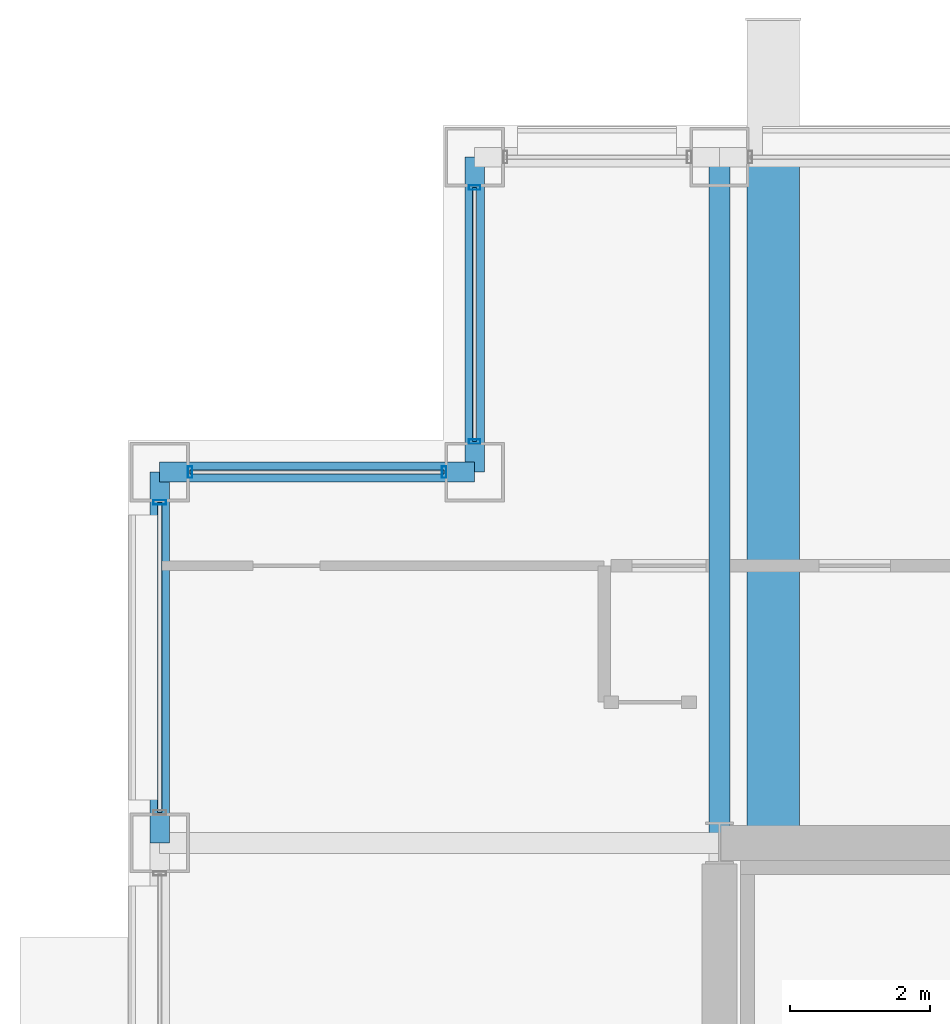
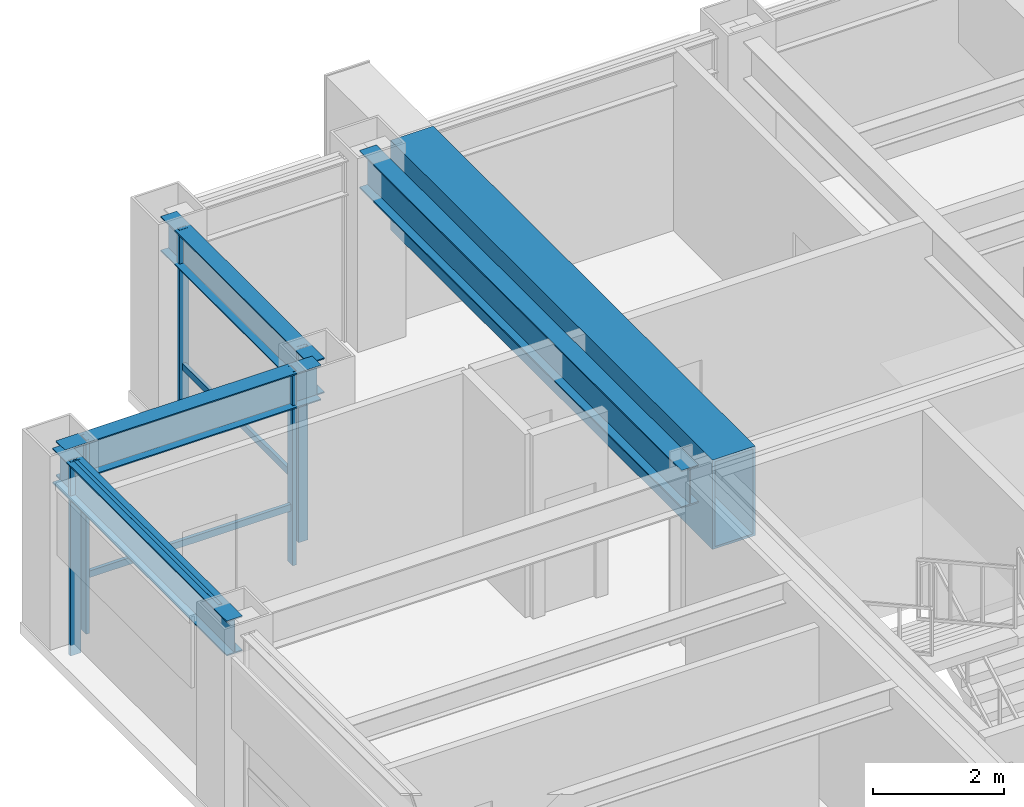
# One storey, part 21 of 34: 8 members, 5 beams, 3 elements without a shape of their own.
"""IFC4 building model written with IfcOpenShell, lengths in metres."""

from ifc_helpers import new_model, si_unit, direction, frame, origin, origin_2d, place, context, subcontext, project, spatial, hollow_rectangle, i_section, extrude, material, layer, layer_set, material_profile, profile_set, type_object, element, aggregate, save


model = new_model("IFC4")

# Units and contexts
model_context = context("Model", 3, precision=1e-05, world=origin(), true_north=direction((0.0, 1.0)))
body_context = subcontext(model_context, "Body", "Model", "MODEL_VIEW")
ifc_project = project(units=[si_unit("LENGTHUNIT", "METRE"), si_unit("AREAUNIT", "SQUARE_METRE"), si_unit("VOLUMEUNIT", "CUBIC_METRE"), si_unit("PLANEANGLEUNIT", "RADIAN"), si_unit("MASSUNIT", "GRAM", prefix="KILO")], contexts=[model_context])

# Site, building, storey
site_placement = place(None, origin())
site = spatial("IfcSite", under=ifc_project, at=site_placement, CompositionType="ELEMENT")
building_placement = place(site_placement, origin())
building = spatial("IfcBuilding", under=site, at=building_placement, Name="Brelmoor Portico Tower", CompositionType="ELEMENT")
storey_placement = place(building_placement, frame((0.0, 0.0, 117.0)))
storey = spatial("IfcBuildingStorey", under=building, at=storey_placement, Name="L30", CompositionType="ELEMENT", Elevation=117.0)

# Beams
ifc_material_1 = material(Name="Steel Q355B", Category="steel")
ifc_material_profile_1 = material_profile(ifc_material_1, i_section(OverallWidth=0.300048828125, OverallDepth=0.699951171875, WebThickness=0.012939453125, FlangeThickness=0.02392578125, at=origin_2d()), Name="HN 700x300x13x24")
ifc_profile_set_1 = profile_set([ifc_material_profile_1], Name="Steel Q355B")
beam_type_1 = type_object("IfcBeamType", Name="BM-PG-700", PredefinedType="BEAM", material=ifc_profile_set_1)
beam_1_placement = place(storey_placement, frame((-14.550048828125, 9.75, 3.050048828125), z_axis=(0.0, 1.0, 0.0), x_axis=(-1.0, 0.0, 0.0)))
element("IfcBeam", 1, at=beam_1_placement, inside=storey, type_object=beam_type_1, Name="L30 Primary Floor Girder PG-04", PredefinedType="BEAM", context=body_context, shape_type="SweptSolid", body=[
    extrude(i_section(OverallWidth=0.300048828125, OverallDepth=0.699951171875, WebThickness=0.012939453125, FlangeThickness=0.02392578125, at=origin_2d()), origin(), (0.0, 0.0, 1.0), 9.800048828125),
])
ifc_material_profile_2 = material_profile(ifc_material_1, i_section(OverallWidth=0.280029296875, OverallDepth=0.64990234375, WebThickness=0.012939453125, FlangeThickness=0.02197265625, at=origin_2d()), Name="HN 650x280x13x22")
ifc_profile_set_2 = profile_set([ifc_material_profile_2], Name="Steel Q355B")
beam_type_2 = type_object("IfcBeamType", Name="BM-SP-650", PredefinedType="SPANDREL", material=ifc_profile_set_2)
beam_2_placement = place(storey_placement, frame((-22.550048828125, 15.050048828125, 3.074951171875), z_axis=(1.0, 0.0, 0.0), x_axis=(0.0, 1.0, 0.0)))
element("IfcBeam", 2, at=beam_2_placement, inside=storey, type_object=beam_type_2, Name="L30 Perimeter Spandrel Beam SP-08", PredefinedType="SPANDREL", context=body_context, shape_type="SweptSolid", body=[
    extrude(i_section(OverallWidth=0.280029296875, OverallDepth=0.64990234375, WebThickness=0.012939453125, FlangeThickness=0.02197265625, at=origin_2d()), origin(), (0.0, 0.0, 1.0), 4.5),
])
beam_3_placement = place(storey_placement, frame((-22.550048828125, 9.75, 3.074951171875), z_axis=(0.0, 1.0, 0.0), x_axis=(-1.0, 0.0, 0.0)))
element("IfcBeam", 3, at=beam_3_placement, inside=storey, type_object=beam_type_2, Name="L30 Perimeter Spandrel Beam SP-17", PredefinedType="SPANDREL", context=body_context, shape_type="SweptSolid", body=[
    extrude(i_section(OverallWidth=0.280029296875, OverallDepth=0.64990234375, WebThickness=0.012939453125, FlangeThickness=0.02197265625, at=origin_2d()), origin(), (0.0, 0.0, 1.0), 5.300048828125),
])
beam_4_placement = place(storey_placement, frame((-18.050048828125, 15.050048828125, 3.074951171875), z_axis=(0.0, 1.0, 0.0), x_axis=(-1.0, 0.0, 0.0)))
element("IfcBeam", 4, at=beam_4_placement, inside=storey, type_object=beam_type_2, Name="L30 Perimeter Spandrel Beam SP-19", PredefinedType="SPANDREL", context=body_context, shape_type="SweptSolid", body=[
    extrude(i_section(OverallWidth=0.280029296875, OverallDepth=0.64990234375, WebThickness=0.012939453125, FlangeThickness=0.02197265625, at=origin_2d()), origin(), (0.0, 0.0, 1.0), 4.5),
])
ifc_material_profile_3 = material_profile(ifc_material_1, hollow_rectangle(XDim=0.75, YDim=1.659912109375, WallThickness=0.0419921875, at=origin_2d()), Name="BOX 750x1660x42")
ifc_profile_set_3 = profile_set([ifc_material_profile_3], Name="Steel Q355B")
beam_type_3 = type_object("IfcBeamType", Name="BM-TG-Z2", PredefinedType="BEAM", material=ifc_profile_set_3)
beam_5_placement = place(storey_placement, frame((-13.780029296875, 9.75, 2.570068359375), z_axis=(0.0, 1.0, 0.0), x_axis=(-1.0, 0.0, 0.0)))
element("IfcBeam", 5, at=beam_5_placement, inside=storey, type_object=beam_type_3, Name="L30 Picture-Frame Backspan Transfer Girder PFBS-01", PredefinedType="BEAM", context=body_context, shape_type="SweptSolid", body=[
    extrude(hollow_rectangle(XDim=0.75, YDim=1.659912109375, WallThickness=0.0419921875, at=origin_2d()), origin(), (0.0, 0.0, 1.0), 9.800048828125),
])

# Curtain wall, members
ifc_material_2 = material(Name="Anodised Aluminium Alloy 6063-T6", Category="aluminium")
ifc_layer_1 = layer(ifc_material_2, 0.179931640625)
ifc_layer_set_1 = layer_set([ifc_layer_1], Name="Anodised Aluminium Alloy 6063-T6")
curtain_wall_type_1 = type_object("IfcCurtainWallType", Name="CW-NOTCH-CHAMFER", PredefinedType="NOTDEFINED", material=ifc_layer_set_1)
curtain_wall_1_placement = place(storey_placement, origin())
curtain_wall_1 = element("IfcCurtainWall", 6, at=curtain_wall_1_placement, inside=storey, type_object=curtain_wall_type_1, Name="L30 Curtain Wall CWN-L30-NWH", PredefinedType="NOTDEFINED")
ifc_material_profile_4 = material_profile(ifc_material_2, hollow_rectangle(XDim=0.06494140625, YDim=0.1650390625, WallThickness=0.00390625, at=origin_2d()), Name="ALU MULLION 65x165")
ifc_profile_set_4 = profile_set([ifc_material_profile_4], Name="Anodised Aluminium Alloy 6063-T6")
member_type_1 = type_object("IfcMemberType", Name="MB-CW-MULL-165", PredefinedType="MULLION", material=ifc_profile_set_4)
member_1_placement = place(storey_placement, frame((-22.114990234375, 15.050048828125, -0.199951171875), z_axis=(0.0, 0.0, 1.0), x_axis=(1.0, 0.0, 0.0)))
member_1 = element("IfcMember", 7, at=member_1_placement, type_object=member_type_1, Name="CWN-L30-NWH Mullion 00", PredefinedType="MULLION", context=body_context, shape_type="SweptSolid", body=[
    extrude(hollow_rectangle(XDim=0.06494140625, YDim=0.1650390625, WallThickness=0.00390625, at=origin_2d()), origin(), (0.0, 0.0, 1.0), 3.599853515625),
])
member_2_placement = place(storey_placement, frame((-18.485107421875, 15.050048828125, -0.199951171875), z_axis=(0.0, 0.0, 1.0), x_axis=(1.0, 0.0, 0.0)))
member_2 = element("IfcMember", 8, at=member_2_placement, type_object=member_type_1, Name="CWN-L30-NWH Mullion 01", PredefinedType="MULLION", context=body_context, shape_type="SweptSolid", body=[
    extrude(hollow_rectangle(XDim=0.06494140625, YDim=0.1650390625, WallThickness=0.00390625, at=origin_2d()), origin(), (0.0, 0.0, 1.0), 3.599853515625),
])

curtain_wall_2_placement = place(storey_placement, origin())
curtain_wall_2 = element("IfcCurtainWall", 9, at=curtain_wall_2_placement, inside=storey, type_object=curtain_wall_type_1, Name="L30 Curtain Wall CWN-L30-NWV", PredefinedType="NOTDEFINED")
member_3_placement = place(storey_placement, frame((-18.050048828125, 15.485107421875, -0.199951171875), z_axis=(0.0, 0.0, 1.0), x_axis=(0.0, 1.0, 0.0)))
member_3 = element("IfcMember", 10, at=member_3_placement, type_object=member_type_1, Name="CWN-L30-NWV Mullion 00", PredefinedType="MULLION", context=body_context, shape_type="SweptSolid", body=[
    extrude(hollow_rectangle(XDim=0.06494140625, YDim=0.1650390625, WallThickness=0.00390625, at=origin_2d()), origin(), (0.0, 0.0, 1.0), 3.599853515625),
])
member_4_placement = place(storey_placement, frame((-18.050048828125, 19.114990234375, -0.199951171875), z_axis=(0.0, 0.0, 1.0), x_axis=(0.0, 1.0, 0.0)))
member_4 = element("IfcMember", 11, at=member_4_placement, type_object=member_type_1, Name="CWN-L30-NWV Mullion 01", PredefinedType="MULLION", context=body_context, shape_type="SweptSolid", body=[
    extrude(hollow_rectangle(XDim=0.06494140625, YDim=0.1650390625, WallThickness=0.00390625, at=origin_2d()), origin(), (0.0, 0.0, 1.0), 3.599853515625),
])

# Curtain wall, member
ifc_layer_2 = layer(ifc_material_2, 0.179931640625)
ifc_layer_set_2 = layer_set([ifc_layer_2], Name="Anodised Aluminium Alloy 6063-T6")
curtain_wall_type_2 = type_object("IfcCurtainWallType", Name="CW-TOWER-Z2-XB", PredefinedType="NOTDEFINED", material=ifc_layer_set_2)
curtain_wall_3_placement = place(storey_placement, origin())
curtain_wall_3 = element("IfcCurtainWall", 12, at=curtain_wall_3_placement, inside=storey, type_object=curtain_wall_type_2, Name="L30 Curtain Wall CW-L30-03-3", PredefinedType="NOTDEFINED")
ifc_material_profile_5 = material_profile(ifc_material_2, hollow_rectangle(XDim=0.06494140625, YDim=0.179931640625, WallThickness=0.00390625, at=origin_2d()), Name="ALU MULLION 65x180")
ifc_profile_set_5 = profile_set([ifc_material_profile_5], Name="Anodised Aluminium Alloy 6063-T6")
member_type_2 = type_object("IfcMemberType", Name="MB-CW-MULL-180", PredefinedType="MULLION", material=ifc_profile_set_5)
member_5_placement = place(storey_placement, frame((-22.550048828125, 14.614990234375, -0.199951171875), z_axis=(0.0, 0.0, 1.0), x_axis=(0.0, 1.0, 0.0)))
member_5 = element("IfcMember", 13, at=member_5_placement, type_object=member_type_2, Name="CW-L30-03-3 Mullion 01", PredefinedType="MULLION", context=body_context, shape_type="SweptSolid", body=[
    extrude(hollow_rectangle(XDim=0.06494140625, YDim=0.179931640625, WallThickness=0.00390625, at=origin_2d()), origin(), (0.0, 0.0, 1.0), 3.599853515625),
])

# Member
ifc_material_profile_6 = material_profile(ifc_material_2, hollow_rectangle(XDim=0.06005859375, YDim=0.125, WallThickness=0.00341796875, at=origin_2d()), Name="ALU TRANSOM 60x125")
ifc_profile_set_6 = profile_set([ifc_material_profile_6], Name="Anodised Aluminium Alloy 6063-T6")
member_type_3 = type_object("IfcMemberType", Name="MB-CW-TRAN-125", PredefinedType="USERDEFINED", material=ifc_profile_set_6)
member_6_placement = place(storey_placement, frame((-22.114990234375, 15.050048828125, 0.85009765625), z_axis=(1.0, 0.0, 0.0), x_axis=(0.0, 1.0, 0.0)))
member_6 = element("IfcMember", 14, at=member_6_placement, type_object=member_type_3, Name="CWN-L30-NWH Transom 1-00", ObjectType="TRANSOM", PredefinedType="USERDEFINED", context=body_context, shape_type="SweptSolid", body=[
    extrude(hollow_rectangle(XDim=0.06005859375, YDim=0.125, WallThickness=0.00341796875, at=origin_2d()), origin(), (0.0, 0.0, 1.0), 3.6298828125),
])

aggregate(curtain_wall_1, [member_1, member_2, member_6])

member_7_placement = place(storey_placement, frame((-18.050048828125, 15.485107421875, 0.85009765625), z_axis=(0.0, 1.0, 0.0), x_axis=(-1.0, 0.0, 0.0)))
member_7 = element("IfcMember", 15, at=member_7_placement, type_object=member_type_3, Name="CWN-L30-NWV Transom 1-00", ObjectType="TRANSOM", PredefinedType="USERDEFINED", context=body_context, shape_type="SweptSolid", body=[
    extrude(hollow_rectangle(XDim=0.06005859375, YDim=0.125, WallThickness=0.00341796875, at=origin_2d()), origin(), (0.0, 0.0, 1.0), 3.6298828125),
])

aggregate(curtain_wall_2, [member_3, member_4, member_7])

ifc_material_profile_7 = material_profile(ifc_material_2, hollow_rectangle(XDim=0.06494140625, YDim=0.139892578125, WallThickness=0.00390625, at=origin_2d()), Name="ALU TRANSOM 65x140")
ifc_profile_set_7 = profile_set([ifc_material_profile_7], Name="Anodised Aluminium Alloy 6063-T6")
member_type_4 = type_object("IfcMemberType", Name="MB-CW-TRAN-140", PredefinedType="USERDEFINED", material=ifc_profile_set_7)
member_8_placement = place(storey_placement, frame((-22.550048828125, 10.18505859375, 3.330078125), z_axis=(0.0, 1.0, 0.0), x_axis=(-1.0, 0.0, 0.0)))
member_8 = element("IfcMember", 16, at=member_8_placement, type_object=member_type_4, Name="CW-L30-03-3 Transom 1-00", ObjectType="TRANSOM", PredefinedType="USERDEFINED", context=body_context, shape_type="SweptSolid", body=[
    extrude(hollow_rectangle(XDim=0.06494140625, YDim=0.139892578125, WallThickness=0.00390625, at=origin_2d()), origin(), (0.0, 0.0, 1.0), 4.429931640625),
])

aggregate(curtain_wall_3, [member_5, member_8])

save(model, "model.ifc")
